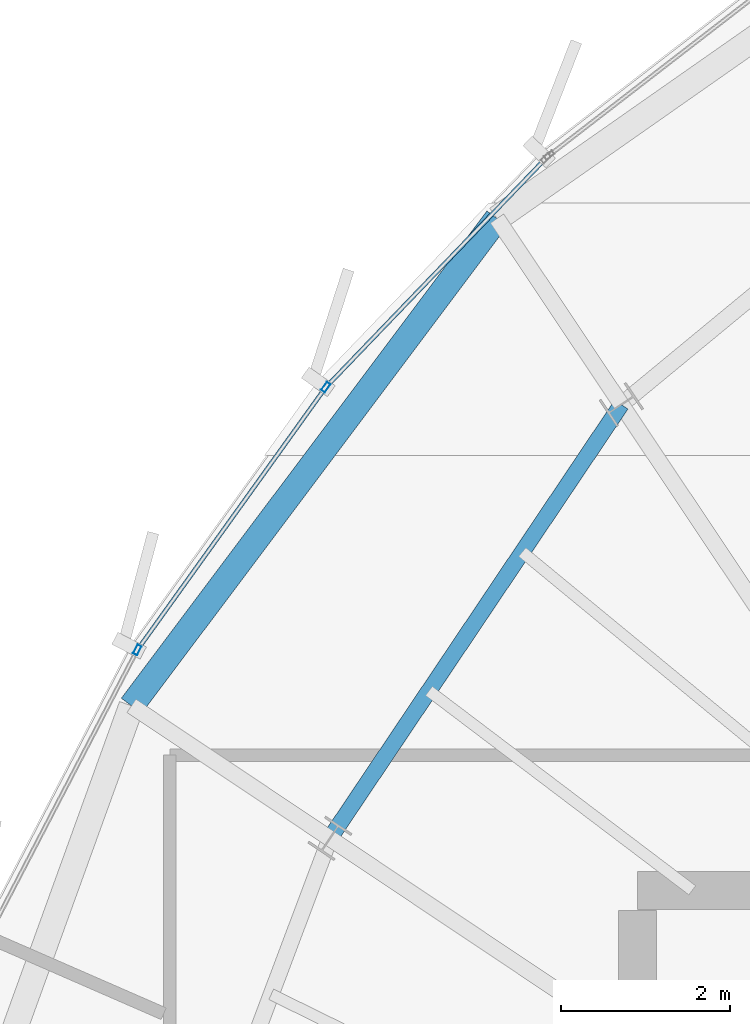
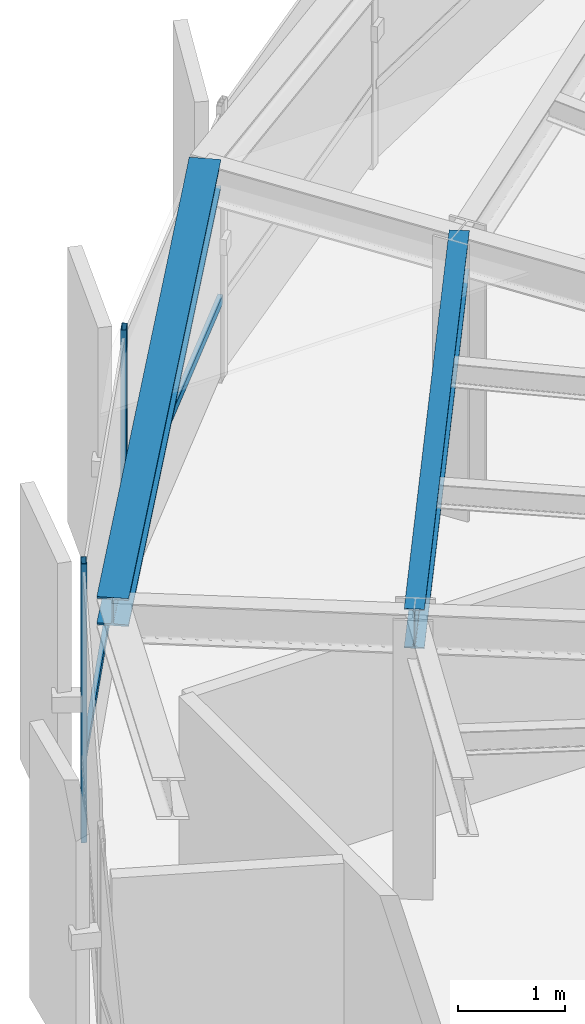
# One storey, part 17 of 31: 4 members, 2 beams, 1 element without a shape of its own.
"""IFC4 building model written with IfcOpenShell, lengths in metres."""

from ifc_helpers import new_model, si_unit, direction, frame, origin, origin_2d, place, context, subcontext, project, spatial, hollow_rectangle, i_section, extrude, source, transform, mapped, material, layer, layer_set, material_profile, profile_set, type_object, element, aggregate, save


model = new_model("IFC4")

# Units and contexts
model_context = context("Model", 3, precision=1e-05, world=origin(), true_north=direction((0.0, 1.0)))
body_context = subcontext(model_context, "Body", "Model", "MODEL_VIEW")
ifc_project = project(units=[si_unit("LENGTHUNIT", "METRE"), si_unit("AREAUNIT", "SQUARE_METRE"), si_unit("VOLUMEUNIT", "CUBIC_METRE"), si_unit("PLANEANGLEUNIT", "RADIAN"), si_unit("MASSUNIT", "GRAM", prefix="KILO"), si_unit("THERMODYNAMICTEMPERATUREUNIT", "KELVIN")], contexts=[model_context])

# Site, building, storey
site_placement = place(None, origin())
site = spatial("IfcSite", under=ifc_project, at=site_placement, CompositionType="ELEMENT")
building_placement = place(site_placement, origin())
building = spatial("IfcBuilding", under=site, at=building_placement, Name="Kethvar Cultural Tower", CompositionType="ELEMENT")
storey_placement = place(building_placement, frame((0.0, 0.0, 300.85009765625)))
storey = spatial("IfcBuildingStorey", under=building, at=storey_placement, Name="L80", CompositionType="ELEMENT", Elevation=300.85009765625)

# Beams
ifc_material_1 = material(Name="Steel S355J2", Category="steel")
ifc_material_profile_1 = material_profile(ifc_material_1, i_section(OverallWidth=0.18994140625, OverallDepth=0.449951171875, WebThickness=0.009521484375, FlangeThickness=0.0146484375, FilletRadius=0.02099609375, at=origin_2d()), Name="Steel S355J2 — IPE450")
ifc_profile_set_1 = profile_set([ifc_material_profile_1], Name="Steel S355J2 — IPE450")
beam_type_1 = type_object("IfcBeamType", Name="BM-IPE450", PredefinedType="BEAM", material=ifc_profile_set_1)
shared_shape_1 = source(origin(), body_context, "Body", "SweptSolid", [
    extrude(i_section(OverallWidth=0.18994140625, OverallDepth=0.449951171875, WebThickness=0.009521484375, FlangeThickness=0.0146484375, FilletRadius=0.02099609375, at=origin_2d()), origin(), (0.0, 0.0, 1.0), 6.192626953125),
])
beam_1_placement = place(storey_placement, frame((37.8095703125, 41.255126953125, 2.9580078125), z_axis=(-0.557698912025, -0.830043326295, 0.0), x_axis=(0.830043326295, -0.557698912025, 0.0)))
element("IfcBeam", 1, at=beam_1_placement, inside=storey, type_object=beam_type_1, Name="L80 Column Ring Tie Beam CR-06", PredefinedType="BEAM", context=body_context, shape_type="MappedRepresentation", body=[
    mapped(shared_shape_1, transform((0.0, 0.0, 0.0), scale=1.0)),
])
ifc_material_profile_2 = material_profile(ifc_material_1, i_section(OverallWidth=0.300048828125, OverallDepth=0.320068359375, WebThickness=0.011474609375, FlangeThickness=0.0205078125, FilletRadius=0.027099609375, at=origin_2d()), Name="Steel S355J2 — HEB320")
ifc_profile_set_2 = profile_set([ifc_material_profile_2], Name="Steel S355J2 — HEB320")
beam_type_2 = type_object("IfcBeamType", Name="BM-SP320", PredefinedType="SPANDREL", material=ifc_profile_set_2)
shared_shape_2 = source(origin(), body_context, "Body", "SweptSolid", [
    extrude(i_section(OverallWidth=0.300048828125, OverallDepth=0.320068359375, WebThickness=0.011474609375, FlangeThickness=0.0205078125, FilletRadius=0.027099609375, at=origin_2d()), origin(), (0.0, 0.0, 1.0), 7.2177734375),
])
beam_2_placement = place(storey_placement, frame((36.3369140625, 43.458984375, 3.02294921875), z_axis=(-0.600129881549, -0.799902572363, 0.0), x_axis=(0.799902572363, -0.600129881549, 0.0)))
element("IfcBeam", 2, at=beam_2_placement, inside=storey, type_object=beam_type_2, Name="L80 Perimeter Spandrel Beam SP-06", PredefinedType="SPANDREL", context=body_context, shape_type="MappedRepresentation", body=[
    mapped(shared_shape_2, transform((0.0, 0.0, 0.0), scale=1.0)),
])

# Curtain wall, members
ifc_material_2 = material(Name="Aluminium 6063-T6", Category="aluminium")
ifc_layer = layer(ifc_material_2, 0.179931640625, Name="Aluminium 6063-T6", Category="aluminium")
ifc_layer_set = layer_set([ifc_layer], Name="Aluminium 6063-T6 (180 mm)")
curtain_wall_type = type_object("IfcCurtainWallType", Name="CW-SYS-05-Z56", PredefinedType="NOTDEFINED", material=ifc_layer_set)
curtain_wall_placement = place(storey_placement, origin())
curtain_wall = element("IfcCurtainWall", 3, at=curtain_wall_placement, inside=storey, type_object=curtain_wall_type, Name="L80 Curtain Wall Run 02", PredefinedType="NOTDEFINED")
ifc_material_profile_3 = material_profile(ifc_material_2, hollow_rectangle(XDim=0.054931640625, YDim=0.1201171875, WallThickness=0.00390625, at=origin_2d()), Name="Aluminium 6063-T6 — RHS120x55x4")
ifc_profile_set_3 = profile_set([ifc_material_profile_3], Name="Aluminium 6063-T6 — RHS120x55x4")
member_type_1 = type_object("IfcMemberType", Name="CW-SYS-05-Z56-MUL", PredefinedType="MULLION", material=ifc_profile_set_3)
shared_shape_3 = source(origin(), body_context, "Body", "SweptSolid", [
    extrude(hollow_rectangle(XDim=0.054931640625, YDim=0.1201171875, WallThickness=0.00390625, at=origin_2d()), origin(), (0.0, 0.0, 1.0), 3.184814453125),
])
member_1_placement = place(storey_placement, frame((34.307861328125, 41.460693359375, 0.0), z_axis=(0.0, 0.0, 1.0), x_axis=(0.812633140773, -0.582775581607, 0.0)))
member_1 = element("IfcMember", 4, at=member_1_placement, type_object=member_type_1, Name="CW-L80-R02 Mullion 2", PredefinedType="MULLION", context=body_context, shape_type="MappedRepresentation", body=[
    mapped(shared_shape_3, transform((0.0, 0.0, 0.0), scale=1.0)),
])
member_2_placement = place(storey_placement, frame((32.074462890625, 38.347900390625, 0.0), z_axis=(0.0, 0.0, 1.0), x_axis=(0.887075296801, -0.461624758658, 0.0)))
member_2 = element("IfcMember", 5, at=member_2_placement, type_object=member_type_1, Name="CW-L80-R02 Mullion 3", PredefinedType="MULLION", context=body_context, shape_type="MappedRepresentation", body=[
    mapped(shared_shape_3, transform((0.0, 0.0, 0.0), scale=1.0)),
])
ifc_material_profile_4 = material_profile(ifc_material_2, hollow_rectangle(XDim=0.050048828125, YDim=0.10009765625, WallThickness=0.00390625, at=origin_2d()), Name="Aluminium 6063-T6 — RHS100x50x4")
ifc_profile_set_4 = profile_set([ifc_material_profile_4], Name="Aluminium 6063-T6 — RHS100x50x4")
member_type_2 = type_object("IfcMemberType", Name="CW-SYS-05-Z56-TRN", PredefinedType="USERDEFINED", material=ifc_profile_set_4)
shared_shape_4 = source(origin(), body_context, "Body", "SweptSolid", [
    extrude(hollow_rectangle(XDim=0.050048828125, YDim=0.10009765625, WallThickness=0.00390625, at=origin_2d()), origin(), (0.0, 0.0, 1.0), 3.731689453125),
])
member_3_placement = place(storey_placement, frame((36.91162109375, 44.169189453125, 0.949951171875), z_axis=(-0.692834098781, -0.721097019524, 0.0), x_axis=(0.721097019524, -0.692834098781, 0.0)))
member_3 = element("IfcMember", 6, at=member_3_placement, type_object=member_type_2, Name="CW-L80-R02 Transom 1", ObjectType="TRANSOM", PredefinedType="USERDEFINED", context=body_context, shape_type="MappedRepresentation", body=[
    mapped(shared_shape_4, transform((0.0, 0.0, 0.0), scale=1.0)),
])
shared_shape_5 = source(origin(), body_context, "Body", "SweptSolid", [
    extrude(hollow_rectangle(XDim=0.050048828125, YDim=0.10009765625, WallThickness=0.00390625, at=origin_2d()), origin(), (0.0, 0.0, 1.0), 3.76611328125),
])
member_4_placement = place(storey_placement, frame((34.284912109375, 41.428466796875, 0.949951171875), z_axis=(-0.582800869323, -0.812615005224, 0.0), x_axis=(0.812615005224, -0.582800869323, 0.0)))
member_4 = element("IfcMember", 7, at=member_4_placement, type_object=member_type_2, Name="CW-L80-R02 Transom 2", ObjectType="TRANSOM", PredefinedType="USERDEFINED", context=body_context, shape_type="MappedRepresentation", body=[
    mapped(shared_shape_5, transform((0.0, 0.0, 0.0), scale=1.0)),
])
aggregate(curtain_wall, [member_1, member_2, member_3, member_4])

save(model, "model.ifc")
